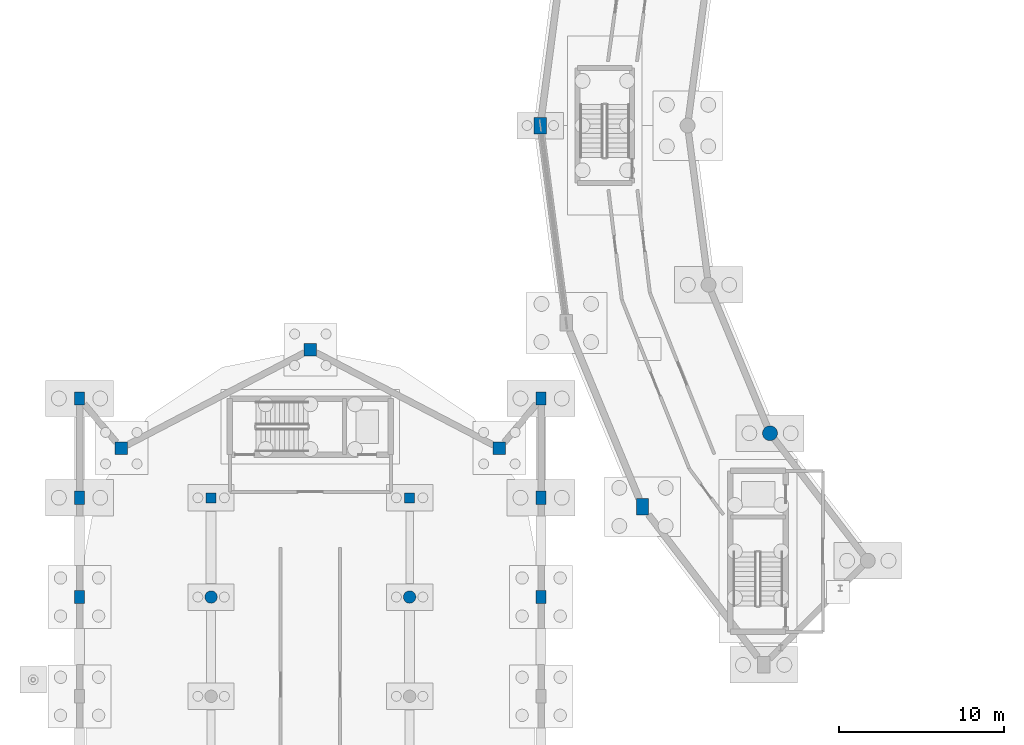
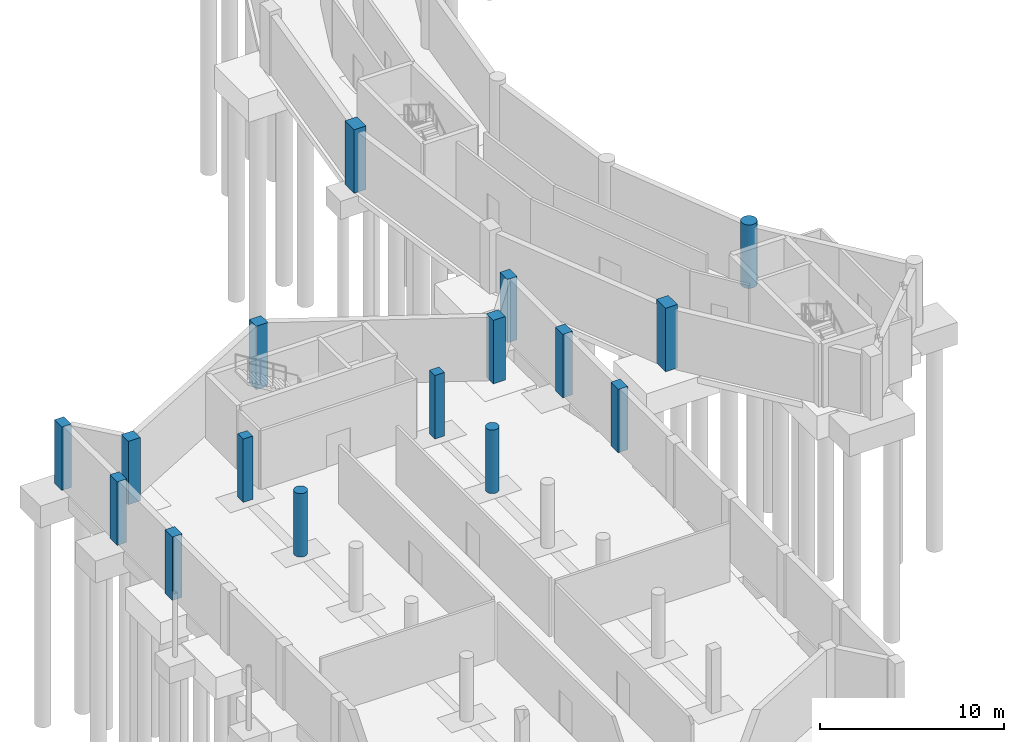
# One storey, part 9 of 43: 16 columns.
"""IFC4 building model written with IfcOpenShell, lengths in metres."""

from ifc_helpers import new_model, si_unit, direction, frame, origin, origin_2d, place, context, subcontext, project, spatial, rectangle, circle, extrude, material, material_profile, profile_set, type_object, element, save


model = new_model("IFC4")

# Units and contexts
model_context = context("Model", 3, precision=1e-05, world=origin(), true_north=direction((0.0, 1.0)))
body_context = subcontext(model_context, "Body", "Model", "MODEL_VIEW")
ifc_project = project(units=[si_unit("LENGTHUNIT", "METRE"), si_unit("AREAUNIT", "SQUARE_METRE"), si_unit("VOLUMEUNIT", "CUBIC_METRE"), si_unit("PLANEANGLEUNIT", "RADIAN"), si_unit("MASSUNIT", "GRAM", prefix="KILO")], contexts=[model_context])

# Site, building, storey
site_placement = place(None, origin())
site = spatial("IfcSite", under=ifc_project, at=site_placement, CompositionType="ELEMENT")
building_placement = place(site_placement, origin())
building = spatial("IfcBuilding", under=site, at=building_placement, Name="Vespera Passage Community Centre", CompositionType="ELEMENT")
storey_placement = place(building_placement, frame((0.0, 0.0, -4.199951171875)))
storey = spatial("IfcBuildingStorey", under=building, at=storey_placement, Name="B1", CompositionType="ELEMENT", Elevation=-4.199951171875)

# Columns
ifc_material_1 = material(Name="Concrete f'c 45 MPa", Category="concrete")
ifc_material_profile_1 = material_profile(ifc_material_1, rectangle(XDim=0.75, YDim=1.0, at=origin_2d()), Name="RC1000X750")
ifc_profile_set_1 = profile_set([ifc_material_profile_1], Name="Concrete f'c 45 MPa")
column_type_1 = type_object("IfcColumnType", Name="COL-RC1000X750E", PredefinedType="COLUMN", material=ifc_profile_set_1)
for number, where, z_axis, x_axis, name in (
    (1, (31.89990234375, 65.5, 0.0), (0.0, 0.0, 1.0), (1.0, 0.0, 0.0), "B1 Column V4-O12"),
    (2, (38.076171875, 42.449951171875, 0.0), (0.0, 0.0, 1.0), (1.0, 0.0, 0.0), "B1 Column V4-O14"),
):
    element("IfcColumn", number, at=place(storey_placement, frame(where, z_axis=z_axis, x_axis=x_axis)), inside=storey, type_object=column_type_1, Name=name, PredefinedType="COLUMN", context=body_context, shape_type="SweptSolid", body=[
        extrude(rectangle(XDim=0.75, YDim=1.0, at=origin_2d()), origin(), (0.0, 0.0, 1.0), 4.199951171875),
    ])
ifc_material_2 = material(Name="Concrete f'c 45 MPa", Category="concrete")
ifc_material_profile_2 = material_profile(ifc_material_2, rectangle(XDim=0.60009765625, YDim=0.60009765625, at=origin_2d()), Name="RC600X600")
ifc_profile_set_2 = profile_set([ifc_material_profile_2], Name="Concrete f'c 45 MPa")
column_type_2 = type_object("IfcColumnType", Name="COL-RC600I", PredefinedType="COLUMN", material=ifc_profile_set_2)
for number, where, z_axis, x_axis, name in (
    (3, (12.0, 43.0, 0.0), (0.0, 0.0, 1.0), (1.0, 0.0, 0.0), "B1 Column V1-B1-16"),
    (4, (24.0, 43.0, 0.0), (0.0, 0.0, 1.0), (1.0, 0.0, 0.0), "B1 Column V1-B1-26"),
):
    element("IfcColumn", number, at=place(storey_placement, frame(where, z_axis=z_axis, x_axis=x_axis)), inside=storey, type_object=column_type_2, Name=name, PredefinedType="COLUMN", context=body_context, shape_type="SweptSolid", body=[
        extrude(rectangle(XDim=0.60009765625, YDim=0.60009765625, at=origin_2d()), origin(), (0.0, 0.0, 1.0), 4.199951171875),
    ])
ifc_material_3 = material(Name="Concrete f'c 45 MPa", Category="concrete")
ifc_material_profile_3 = material_profile(ifc_material_3, circle(Radius=0.375, at=origin_2d()), Name="RC750DIA")
ifc_profile_set_3 = profile_set([ifc_material_profile_3], Name="Concrete f'c 45 MPa")
column_type_3 = type_object("IfcColumnType", Name="COL-RC750DIA", PredefinedType="COLUMN", material=ifc_profile_set_3)
for number, where, z_axis, x_axis, name in (
    (5, (12.0, 37.0, 0.0), (0.0, 0.0, 1.0), (1.0, 0.0, 0.0), "B1 Column V1-B1-15"),
    (6, (24.0, 37.0, 0.0), (0.0, 0.0, 1.0), (1.0, 0.0, 0.0), "B1 Column V1-B1-25"),
):
    element("IfcColumn", number, at=place(storey_placement, frame(where, z_axis=z_axis, x_axis=x_axis)), inside=storey, type_object=column_type_3, Name=name, PredefinedType="COLUMN", context=body_context, shape_type="SweptSolid", body=[
        extrude(circle(Radius=0.375, at=origin_2d()), origin(), (0.0, 0.0, 1.0), 4.199951171875),
    ])
ifc_material_4 = material(Name="Concrete f'c 45 MPa", Category="concrete")
ifc_material_profile_4 = material_profile(ifc_material_4, rectangle(XDim=0.75, YDim=0.75, at=origin_2d()), Name="RC750X750")
ifc_profile_set_4 = profile_set([ifc_material_profile_4], Name="Concrete f'c 45 MPa")
column_type_4 = type_object("IfcColumnType", Name="COL-RC750E", PredefinedType="COLUMN", material=ifc_profile_set_4)
for number, where, z_axis, x_axis, name in (
    (7, (29.42724609375, 46.00146484375, 0.0), (0.0, 0.0, 1.0), (1.0, 0.0, 0.0), "B1 Column V1-AN1"),
    (8, (18.0, 51.949951171875, 0.0), (0.0, 0.0, 1.0), (1.0, 0.0, 0.0), "B1 Column V1-AN2"),
    (9, (6.57275390625, 46.00146484375, 0.0), (0.0, 0.0, 1.0), (1.0, 0.0, 0.0), "B1 Column V1-AN3"),
):
    element("IfcColumn", number, at=place(storey_placement, frame(where, z_axis=z_axis, x_axis=x_axis)), inside=storey, type_object=column_type_4, Name=name, PredefinedType="COLUMN", context=body_context, shape_type="SweptSolid", body=[
        extrude(rectangle(XDim=0.75, YDim=0.75, at=origin_2d()), origin(), (0.0, 0.0, 1.0), 4.199951171875),
    ])
ifc_material_5 = material(Name="Concrete f'c 45 MPa", Category="concrete")
ifc_material_profile_5 = material_profile(ifc_material_5, rectangle(XDim=0.60009765625, YDim=0.800048828125, at=origin_2d()), Name="RC800X600")
ifc_profile_set_5 = profile_set([ifc_material_profile_5], Name="Concrete f'c 45 MPa")
column_type_5 = type_object("IfcColumnType", Name="COL-RC800X600E", PredefinedType="COLUMN", material=ifc_profile_set_5)
for number, where, z_axis, x_axis, name in (
    (10, (31.949951171875, 37.0, 0.0), (0.0, 0.0, 1.0), (1.0, 0.0, 0.0), "B1 Column V1-E6"),
    (11, (31.949951171875, 43.0, 0.0), (0.0, 0.0, 1.0), (1.0, 0.0, 0.0), "B1 Column V1-E7"),
    (12, (31.949951171875, 49.0, 0.0), (0.0, 0.0, 1.0), (1.0, 0.0, 0.0), "B1 Column V1-E8"),
    (13, (4.050048828125, 37.0, 0.0), (0.0, 0.0, 1.0), (1.0, 0.0, 0.0), "B1 Column V1-W6"),
    (14, (4.050048828125, 43.0, 0.0), (0.0, 0.0, 1.0), (1.0, 0.0, 0.0), "B1 Column V1-W7"),
    (15, (4.050048828125, 49.0, 0.0), (0.0, 0.0, 1.0), (1.0, 0.0, 0.0), "B1 Column V1-W8"),
):
    element("IfcColumn", number, at=place(storey_placement, frame(where, z_axis=z_axis, x_axis=x_axis)), inside=storey, type_object=column_type_5, Name=name, PredefinedType="COLUMN", context=body_context, shape_type="SweptSolid", body=[
        extrude(rectangle(XDim=0.60009765625, YDim=0.800048828125, at=origin_2d()), origin(), (0.0, 0.0, 1.0), 4.199951171875),
    ])
ifc_material_6 = material(Name="Concrete f'c 45 MPa", Category="concrete")
ifc_material_profile_6 = material_profile(ifc_material_6, circle(Radius=0.449951171875, at=origin_2d()), Name="RC900DIA")
ifc_profile_set_6 = profile_set([ifc_material_profile_6], Name="Concrete f'c 45 MPa")
column_type_6 = type_object("IfcColumnType", Name="COL-RC900DIAE", PredefinedType="COLUMN", material=ifc_profile_set_6)
column_placement = place(storey_placement, frame((45.783935546875, 46.89990234375, 0.0), z_axis=(0.0, 0.0, 1.0), x_axis=(1.0, 0.0, 0.0)))
element("IfcColumn", 16, at=column_placement, inside=storey, type_object=column_type_6, Name="B1 Column V4-I14", PredefinedType="COLUMN", context=body_context, shape_type="SweptSolid", body=[
    extrude(circle(Radius=0.449951171875, at=origin_2d()), origin(), (0.0, 0.0, 1.0), 4.199951171875),
])

save(model, "model.ifc")
